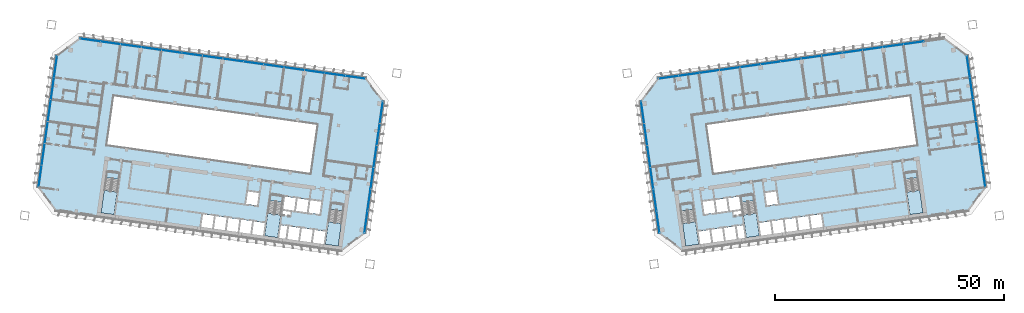
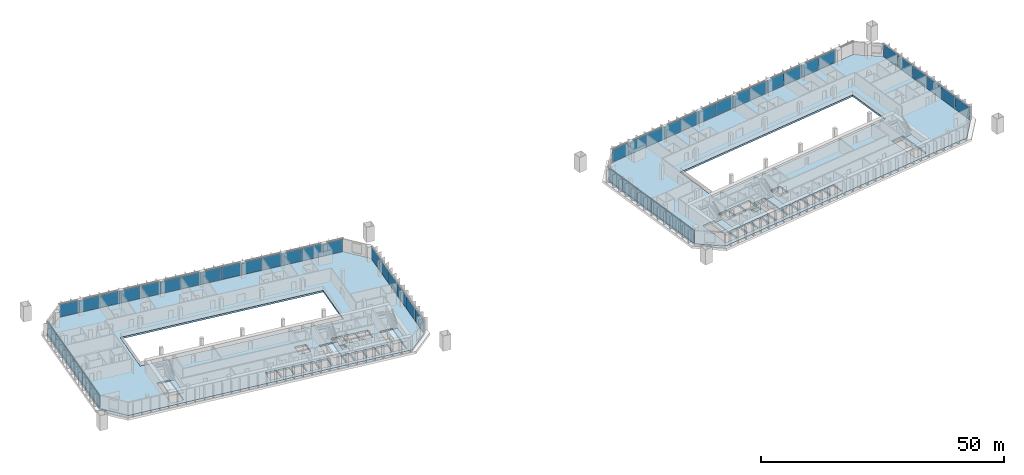
# One storey, part 12 of 24: 51 plates, 8 slabs, 12 elements without a shape of their own.
"""IFC4 building model written with IfcOpenShell, lengths in metres."""

from ifc_helpers import new_model, si_unit, direction, frame, origin, origin_2d, place, context, subcontext, project, spatial, polyline, rectangle, outline, extrude, material, layer, layer_set, type_object, element, aggregate, save


model = new_model("IFC4")

# Units and contexts
model_context = context("Model", 3, precision=1e-05, world=origin(), true_north=direction((0.0, 1.0)))
body_context = subcontext(model_context, "Body", "Model", "MODEL_VIEW")
ifc_project = project(units=[si_unit("LENGTHUNIT", "METRE"), si_unit("AREAUNIT", "SQUARE_METRE"), si_unit("VOLUMEUNIT", "CUBIC_METRE"), si_unit("PLANEANGLEUNIT", "RADIAN"), si_unit("MASSUNIT", "GRAM", prefix="KILO")], contexts=[model_context])

# Site, building, storey
site_placement = place(None, origin())
site = spatial("IfcSite", under=ifc_project, at=site_placement, CompositionType="ELEMENT")
building_placement = place(site_placement, origin())
building = spatial("IfcBuilding", under=site, at=building_placement, Name="Mirante Cascada Hotel Towers", CompositionType="ELEMENT")
storey_placement = place(building_placement, frame((0.0, 0.0, 77.5)))
storey = spatial("IfcBuildingStorey", under=building, at=storey_placement, Name="L16", CompositionType="ELEMENT", Elevation=77.5)

# Curtain wall, plates
ifc_material_1 = material(Name="Aluminium mullion and transom frame with clear laminated glass", Category="aluminium")
curtain_wall_type_1 = type_object("IfcCurtainWallType", Name="Ribbon curtain wall ECW1", PredefinedType="NOTDEFINED", material=ifc_material_1)
curtain_wall_1_placement = place(storey_placement, origin())
curtain_wall_1 = element("IfcCurtainWall", 1, at=curtain_wall_1_placement, inside=storey, type_object=curtain_wall_type_1, Name="Front ribbon wall T1 L16", PredefinedType="NOTDEFINED")
ifc_material_2 = material(Name="Clear laminated glass", Category="glass")
ifc_layer_1 = layer(ifc_material_2, 0.036)
ifc_layer_set_1 = layer_set([ifc_layer_1], Name="ECW1 glass panel 36")
plate_type_1 = type_object("IfcPlateType", Name="ECW1 glass panel 36", PredefinedType="CURTAIN_PANEL", material=ifc_layer_set_1)
plate_1_placement = place(storey_placement, frame((-91.9184, 25.7373, 0.1), z_axis=(0.0, 0.0, 1.0), x_axis=(0.9902681, -0.1391731, 0.0)))
plate_1 = element("IfcPlate", 2, at=plate_1_placement, type_object=plate_type_1, Name="ECW1 panel 1", PredefinedType="CURTAIN_PANEL", context=body_context, shape_type="SweptSolid", body=[
    extrude(rectangle(XDim=4.3936, YDim=0.036, at=origin_2d()), origin(), (0.0, 0.0, 1.0), 3.15),
])
plate_2_placement = place(storey_placement, frame((-87.487, 25.1145, 0.1), z_axis=(0.0, 0.0, 1.0), x_axis=(0.9902681, -0.1391731, 0.0)))
plate_2 = element("IfcPlate", 3, at=plate_2_placement, type_object=plate_type_1, Name="ECW1 panel 2", PredefinedType="CURTAIN_PANEL", context=body_context, shape_type="SweptSolid", body=[
    extrude(rectangle(XDim=4.4261, YDim=0.036, at=origin_2d()), origin(), (0.0, 0.0, 1.0), 3.15),
])
plate_3_placement = place(storey_placement, frame((-83.0396, 24.4895, 0.1), z_axis=(0.0, 0.0, 1.0), x_axis=(0.9902681, -0.1391731, 0.0)))
plate_3 = element("IfcPlate", 4, at=plate_3_placement, type_object=plate_type_1, Name="ECW1 panel 3", PredefinedType="CURTAIN_PANEL", context=body_context, shape_type="SweptSolid", body=[
    extrude(rectangle(XDim=4.4261, YDim=0.036, at=origin_2d()), origin(), (0.0, 0.0, 1.0), 3.15),
])
plate_4_placement = place(storey_placement, frame((-78.5922, 23.8644, 0.1), z_axis=(0.0, 0.0, 1.0), x_axis=(0.9902681, -0.1391731, 0.0)))
plate_4 = element("IfcPlate", 5, at=plate_4_placement, type_object=plate_type_1, Name="ECW1 panel 4", PredefinedType="CURTAIN_PANEL", context=body_context, shape_type="SweptSolid", body=[
    extrude(rectangle(XDim=4.4261, YDim=0.036, at=origin_2d()), origin(), (0.0, 0.0, 1.0), 3.15),
])
plate_5_placement = place(storey_placement, frame((-74.1448, 23.2394, 0.1), z_axis=(0.0, 0.0, 1.0), x_axis=(0.9902681, -0.1391731, 0.0)))
plate_5 = element("IfcPlate", 6, at=plate_5_placement, type_object=plate_type_1, Name="ECW1 panel 5", PredefinedType="CURTAIN_PANEL", context=body_context, shape_type="SweptSolid", body=[
    extrude(rectangle(XDim=4.4261, YDim=0.036, at=origin_2d()), origin(), (0.0, 0.0, 1.0), 3.15),
])
plate_6_placement = place(storey_placement, frame((-69.6974, 22.6144, 0.1), z_axis=(0.0, 0.0, 1.0), x_axis=(0.9902681, -0.1391731, 0.0)))
plate_6 = element("IfcPlate", 7, at=plate_6_placement, type_object=plate_type_1, Name="ECW1 panel 6", PredefinedType="CURTAIN_PANEL", context=body_context, shape_type="SweptSolid", body=[
    extrude(rectangle(XDim=4.4261, YDim=0.036, at=origin_2d()), origin(), (0.0, 0.0, 1.0), 3.15),
])
plate_7_placement = place(storey_placement, frame((-65.2499, 21.9893, 0.1), z_axis=(0.0, 0.0, 1.0), x_axis=(0.9902681, -0.1391731, 0.0)))
plate_7 = element("IfcPlate", 8, at=plate_7_placement, type_object=plate_type_1, Name="ECW1 panel 7", PredefinedType="CURTAIN_PANEL", context=body_context, shape_type="SweptSolid", body=[
    extrude(rectangle(XDim=4.4261, YDim=0.036, at=origin_2d()), origin(), (0.0, 0.0, 1.0), 3.15),
])
plate_8_placement = place(storey_placement, frame((-60.8025, 21.3643, 0.1), z_axis=(0.0, 0.0, 1.0), x_axis=(0.9902681, -0.1391731, 0.0)))
plate_8 = element("IfcPlate", 9, at=plate_8_placement, type_object=plate_type_1, Name="ECW1 panel 8", PredefinedType="CURTAIN_PANEL", context=body_context, shape_type="SweptSolid", body=[
    extrude(rectangle(XDim=4.4261, YDim=0.036, at=origin_2d()), origin(), (0.0, 0.0, 1.0), 3.15),
])
plate_9_placement = place(storey_placement, frame((-56.3551, 20.7392, 0.1), z_axis=(0.0, 0.0, 1.0), x_axis=(0.9902681, -0.1391731, 0.0)))
plate_9 = element("IfcPlate", 10, at=plate_9_placement, type_object=plate_type_1, Name="ECW1 panel 9", PredefinedType="CURTAIN_PANEL", context=body_context, shape_type="SweptSolid", body=[
    extrude(rectangle(XDim=4.4261, YDim=0.036, at=origin_2d()), origin(), (0.0, 0.0, 1.0), 3.15),
])
plate_10_placement = place(storey_placement, frame((-51.9077, 20.1142, 0.1), z_axis=(0.0, 0.0, 1.0), x_axis=(0.9902681, -0.1391731, 0.0)))
plate_10 = element("IfcPlate", 11, at=plate_10_placement, type_object=plate_type_1, Name="ECW1 panel 10", PredefinedType="CURTAIN_PANEL", context=body_context, shape_type="SweptSolid", body=[
    extrude(rectangle(XDim=4.4261, YDim=0.036, at=origin_2d()), origin(), (0.0, 0.0, 1.0), 3.15),
])
plate_11_placement = place(storey_placement, frame((-47.4603, 19.4891, 0.1), z_axis=(0.0, 0.0, 1.0), x_axis=(0.9902681, -0.1391731, 0.0)))
plate_11 = element("IfcPlate", 12, at=plate_11_placement, type_object=plate_type_1, Name="ECW1 panel 11", PredefinedType="CURTAIN_PANEL", context=body_context, shape_type="SweptSolid", body=[
    extrude(rectangle(XDim=4.4261, YDim=0.036, at=origin_2d()), origin(), (0.0, 0.0, 1.0), 3.15),
])
plate_12_placement = place(storey_placement, frame((-43.0129, 18.8641, 0.1), z_axis=(0.0, 0.0, 1.0), x_axis=(0.9902681, -0.1391731, 0.0)))
plate_12 = element("IfcPlate", 13, at=plate_12_placement, type_object=plate_type_1, Name="ECW1 panel 12", PredefinedType="CURTAIN_PANEL", context=body_context, shape_type="SweptSolid", body=[
    extrude(rectangle(XDim=4.4261, YDim=0.036, at=origin_2d()), origin(), (0.0, 0.0, 1.0), 3.15),
])
plate_13_placement = place(storey_placement, frame((-38.5654, 18.239, 0.1), z_axis=(0.0, 0.0, 1.0), x_axis=(0.9902681, -0.1391731, 0.0)))
plate_13 = element("IfcPlate", 14, at=plate_13_placement, type_object=plate_type_1, Name="ECW1 panel 13", PredefinedType="CURTAIN_PANEL", context=body_context, shape_type="SweptSolid", body=[
    extrude(rectangle(XDim=4.4261, YDim=0.036, at=origin_2d()), origin(), (0.0, 0.0, 1.0), 3.15),
])
plate_14_placement = place(storey_placement, frame((-34.1341, 17.6163, 0.1), z_axis=(0.0, 0.0, 1.0), x_axis=(0.9902681, -0.1391731, 0.0)))
plate_14 = element("IfcPlate", 15, at=plate_14_placement, type_object=plate_type_1, Name="ECW1 panel 14", PredefinedType="CURTAIN_PANEL", context=body_context, shape_type="SweptSolid", body=[
    extrude(rectangle(XDim=4.3936, YDim=0.036, at=origin_2d()), origin(), (0.0, 0.0, 1.0), 3.15),
])
aggregate(curtain_wall_1, [plate_1, plate_2, plate_3, plate_4, plate_5, plate_6, plate_7, plate_8, plate_9, plate_10, plate_11, plate_12, plate_13, plate_14])

curtain_wall_2_placement = place(storey_placement, origin())
curtain_wall_2 = element("IfcCurtainWall", 16, at=curtain_wall_2_placement, inside=storey, type_object=curtain_wall_type_1, Name="Front ribbon wall T2 L16", PredefinedType="NOTDEFINED")
plate_15_placement = place(storey_placement, frame((87.487, 25.1145, 0.1), z_axis=(0.0, 0.0, 1.0), x_axis=(-0.9902681, -0.1391731, 0.0)))
plate_15 = element("IfcPlate", 17, at=plate_15_placement, type_object=plate_type_1, Name="ECW1 panel 2", PredefinedType="CURTAIN_PANEL", context=body_context, shape_type="SweptSolid", body=[
    extrude(rectangle(XDim=4.4261, YDim=0.036, at=origin_2d()), origin(), (0.0, 0.0, 1.0), 3.15),
])
plate_16_placement = place(storey_placement, frame((83.0396, 24.4895, 0.1), z_axis=(0.0, 0.0, 1.0), x_axis=(-0.9902681, -0.1391731, 0.0)))
plate_16 = element("IfcPlate", 18, at=plate_16_placement, type_object=plate_type_1, Name="ECW1 panel 3", PredefinedType="CURTAIN_PANEL", context=body_context, shape_type="SweptSolid", body=[
    extrude(rectangle(XDim=4.4261, YDim=0.036, at=origin_2d()), origin(), (0.0, 0.0, 1.0), 3.15),
])
plate_17_placement = place(storey_placement, frame((78.5922, 23.8644, 0.1), z_axis=(0.0, 0.0, 1.0), x_axis=(-0.9902681, -0.1391731, 0.0)))
plate_17 = element("IfcPlate", 19, at=plate_17_placement, type_object=plate_type_1, Name="ECW1 panel 4", PredefinedType="CURTAIN_PANEL", context=body_context, shape_type="SweptSolid", body=[
    extrude(rectangle(XDim=4.4261, YDim=0.036, at=origin_2d()), origin(), (0.0, 0.0, 1.0), 3.15),
])
plate_18_placement = place(storey_placement, frame((74.1448, 23.2394, 0.1), z_axis=(0.0, 0.0, 1.0), x_axis=(-0.9902681, -0.1391731, 0.0)))
plate_18 = element("IfcPlate", 20, at=plate_18_placement, type_object=plate_type_1, Name="ECW1 panel 5", PredefinedType="CURTAIN_PANEL", context=body_context, shape_type="SweptSolid", body=[
    extrude(rectangle(XDim=4.4261, YDim=0.036, at=origin_2d()), origin(), (0.0, 0.0, 1.0), 3.15),
])
plate_19_placement = place(storey_placement, frame((69.6974, 22.6144, 0.1), z_axis=(0.0, 0.0, 1.0), x_axis=(-0.9902681, -0.1391731, 0.0)))
plate_19 = element("IfcPlate", 21, at=plate_19_placement, type_object=plate_type_1, Name="ECW1 panel 6", PredefinedType="CURTAIN_PANEL", context=body_context, shape_type="SweptSolid", body=[
    extrude(rectangle(XDim=4.4261, YDim=0.036, at=origin_2d()), origin(), (0.0, 0.0, 1.0), 3.15),
])
plate_20_placement = place(storey_placement, frame((65.2499, 21.9893, 0.1), z_axis=(0.0, 0.0, 1.0), x_axis=(-0.9902681, -0.1391731, 0.0)))
plate_20 = element("IfcPlate", 22, at=plate_20_placement, type_object=plate_type_1, Name="ECW1 panel 7", PredefinedType="CURTAIN_PANEL", context=body_context, shape_type="SweptSolid", body=[
    extrude(rectangle(XDim=4.4261, YDim=0.036, at=origin_2d()), origin(), (0.0, 0.0, 1.0), 3.15),
])
plate_21_placement = place(storey_placement, frame((60.8025, 21.3643, 0.1), z_axis=(0.0, 0.0, 1.0), x_axis=(-0.9902681, -0.1391731, 0.0)))
plate_21 = element("IfcPlate", 23, at=plate_21_placement, type_object=plate_type_1, Name="ECW1 panel 8", PredefinedType="CURTAIN_PANEL", context=body_context, shape_type="SweptSolid", body=[
    extrude(rectangle(XDim=4.4261, YDim=0.036, at=origin_2d()), origin(), (0.0, 0.0, 1.0), 3.15),
])
plate_22_placement = place(storey_placement, frame((56.3551, 20.7392, 0.1), z_axis=(0.0, 0.0, 1.0), x_axis=(-0.9902681, -0.1391731, 0.0)))
plate_22 = element("IfcPlate", 24, at=plate_22_placement, type_object=plate_type_1, Name="ECW1 panel 9", PredefinedType="CURTAIN_PANEL", context=body_context, shape_type="SweptSolid", body=[
    extrude(rectangle(XDim=4.4261, YDim=0.036, at=origin_2d()), origin(), (0.0, 0.0, 1.0), 3.15),
])
plate_23_placement = place(storey_placement, frame((51.9077, 20.1142, 0.1), z_axis=(0.0, 0.0, 1.0), x_axis=(-0.9902681, -0.1391731, 0.0)))
plate_23 = element("IfcPlate", 25, at=plate_23_placement, type_object=plate_type_1, Name="ECW1 panel 10", PredefinedType="CURTAIN_PANEL", context=body_context, shape_type="SweptSolid", body=[
    extrude(rectangle(XDim=4.4261, YDim=0.036, at=origin_2d()), origin(), (0.0, 0.0, 1.0), 3.15),
])
plate_24_placement = place(storey_placement, frame((47.4603, 19.4891, 0.1), z_axis=(0.0, 0.0, 1.0), x_axis=(-0.9902681, -0.1391731, 0.0)))
plate_24 = element("IfcPlate", 26, at=plate_24_placement, type_object=plate_type_1, Name="ECW1 panel 11", PredefinedType="CURTAIN_PANEL", context=body_context, shape_type="SweptSolid", body=[
    extrude(rectangle(XDim=4.4261, YDim=0.036, at=origin_2d()), origin(), (0.0, 0.0, 1.0), 3.15),
])
plate_25_placement = place(storey_placement, frame((43.0129, 18.8641, 0.1), z_axis=(0.0, 0.0, 1.0), x_axis=(-0.9902681, -0.1391731, 0.0)))
plate_25 = element("IfcPlate", 27, at=plate_25_placement, type_object=plate_type_1, Name="ECW1 panel 12", PredefinedType="CURTAIN_PANEL", context=body_context, shape_type="SweptSolid", body=[
    extrude(rectangle(XDim=4.4261, YDim=0.036, at=origin_2d()), origin(), (0.0, 0.0, 1.0), 3.15),
])
plate_26_placement = place(storey_placement, frame((38.5654, 18.239, 0.1), z_axis=(0.0, 0.0, 1.0), x_axis=(-0.9902681, -0.1391731, 0.0)))
plate_26 = element("IfcPlate", 28, at=plate_26_placement, type_object=plate_type_1, Name="ECW1 panel 13", PredefinedType="CURTAIN_PANEL", context=body_context, shape_type="SweptSolid", body=[
    extrude(rectangle(XDim=4.4261, YDim=0.036, at=origin_2d()), origin(), (0.0, 0.0, 1.0), 3.15),
])
plate_27_placement = place(storey_placement, frame((34.1341, 17.6163, 0.1), z_axis=(0.0, 0.0, 1.0), x_axis=(-0.9902681, -0.1391731, 0.0)))
plate_27 = element("IfcPlate", 29, at=plate_27_placement, type_object=plate_type_1, Name="ECW1 panel 14", PredefinedType="CURTAIN_PANEL", context=body_context, shape_type="SweptSolid", body=[
    extrude(rectangle(XDim=4.3936, YDim=0.036, at=origin_2d()), origin(), (0.0, 0.0, 1.0), 3.15),
])
aggregate(curtain_wall_2, [plate_15, plate_16, plate_17, plate_18, plate_19, plate_20, plate_21, plate_22, plate_23, plate_24, plate_25, plate_26, plate_27])

ifc_material_3 = material(Name="Aluminium mullion and transom frame with clear laminated glass", Category="aluminium")
curtain_wall_type_2 = type_object("IfcCurtainWallType", Name="End ribbon curtain wall ECW2", PredefinedType="NOTDEFINED", material=ifc_material_3)
curtain_wall_3_placement = place(storey_placement, origin())
curtain_wall_3 = element("IfcCurtainWall", 30, at=curtain_wall_3_placement, inside=storey, type_object=curtain_wall_type_2, Name="Inner end wall T1 L16", PredefinedType="NOTDEFINED")
ifc_material_4 = material(Name="Clear laminated glass", Category="glass")
ifc_layer_2 = layer(ifc_material_4, 0.034)
ifc_layer_set_2 = layer_set([ifc_layer_2], Name="ECW2 glass panel 34")
plate_type_2 = type_object("IfcPlateType", Name="ECW2 glass panel 34", PredefinedType="CURTAIN_PANEL", material=ifc_layer_set_2)
plate_28_placement = place(storey_placement, frame((-28.4763, 9.9193, 0.1), z_axis=(0.0, 0.0, 1.0), x_axis=(-0.1391731, -0.9902681, 0.0)))
plate_28 = element("IfcPlate", 31, at=plate_28_placement, type_object=plate_type_2, Name="ECW2 panel 1", PredefinedType="CURTAIN_PANEL", context=body_context, shape_type="SweptSolid", body=[
    extrude(rectangle(XDim=4.7151, YDim=0.034, at=origin_2d()), origin(), (0.0, 0.0, 1.0), 3.15),
])
plate_29_placement = place(storey_placement, frame((-29.1439, 5.1696, 0.1), z_axis=(0.0, 0.0, 1.0), x_axis=(-0.1391731, -0.9902681, 0.0)))
plate_29 = element("IfcPlate", 32, at=plate_29_placement, type_object=plate_type_2, Name="ECW2 panel 2", PredefinedType="CURTAIN_PANEL", context=body_context, shape_type="SweptSolid", body=[
    extrude(rectangle(XDim=4.7476, YDim=0.034, at=origin_2d()), origin(), (0.0, 0.0, 1.0), 3.15),
])
plate_30_placement = place(storey_placement, frame((-29.8136, 0.4038, 0.1), z_axis=(0.0, 0.0, 1.0), x_axis=(-0.1391731, -0.9902681, 0.0)))
plate_30 = element("IfcPlate", 33, at=plate_30_placement, type_object=plate_type_2, Name="ECW2 panel 3", PredefinedType="CURTAIN_PANEL", context=body_context, shape_type="SweptSolid", body=[
    extrude(rectangle(XDim=4.7476, YDim=0.034, at=origin_2d()), origin(), (0.0, 0.0, 1.0), 3.15),
])
plate_31_placement = place(storey_placement, frame((-30.4834, -4.362, 0.1), z_axis=(0.0, 0.0, 1.0), x_axis=(-0.1391731, -0.9902681, 0.0)))
plate_31 = element("IfcPlate", 34, at=plate_31_placement, type_object=plate_type_2, Name="ECW2 panel 4", PredefinedType="CURTAIN_PANEL", context=body_context, shape_type="SweptSolid", body=[
    extrude(rectangle(XDim=4.7476, YDim=0.034, at=origin_2d()), origin(), (0.0, 0.0, 1.0), 3.15),
])
plate_32_placement = place(storey_placement, frame((-31.1532, -9.1278, 0.1), z_axis=(0.0, 0.0, 1.0), x_axis=(-0.1391731, -0.9902681, 0.0)))
plate_32 = element("IfcPlate", 35, at=plate_32_placement, type_object=plate_type_2, Name="ECW2 panel 5", PredefinedType="CURTAIN_PANEL", context=body_context, shape_type="SweptSolid", body=[
    extrude(rectangle(XDim=4.7476, YDim=0.034, at=origin_2d()), origin(), (0.0, 0.0, 1.0), 3.15),
])
plate_33_placement = place(storey_placement, frame((-31.8207, -13.8775, 0.1), z_axis=(0.0, 0.0, 1.0), x_axis=(-0.1391731, -0.9902681, 0.0)))
plate_33 = element("IfcPlate", 36, at=plate_33_placement, type_object=plate_type_2, Name="ECW2 panel 6", PredefinedType="CURTAIN_PANEL", context=body_context, shape_type="SweptSolid", body=[
    extrude(rectangle(XDim=4.7151, YDim=0.034, at=origin_2d()), origin(), (0.0, 0.0, 1.0), 3.15),
])
aggregate(curtain_wall_3, [plate_28, plate_29, plate_30, plate_31, plate_32, plate_33])

curtain_wall_4_placement = place(storey_placement, origin())
curtain_wall_4 = element("IfcCurtainWall", 37, at=curtain_wall_4_placement, inside=storey, type_object=curtain_wall_type_2, Name="Outer end wall T1 L16", PredefinedType="NOTDEFINED")
plate_34_placement = place(storey_placement, frame((-102.823, -3.8988, 0.1), z_axis=(0.0, 0.0, 1.0), x_axis=(0.1391731, 0.9902681, 0.0)))
plate_34 = element("IfcPlate", 38, at=plate_34_placement, type_object=plate_type_2, Name="ECW2 panel 1", PredefinedType="CURTAIN_PANEL", context=body_context, shape_type="SweptSolid", body=[
    extrude(rectangle(XDim=4.7151, YDim=0.034, at=origin_2d()), origin(), (0.0, 0.0, 1.0), 3.15),
])
plate_35_placement = place(storey_placement, frame((-102.1554, 0.8509, 0.1), z_axis=(0.0, 0.0, 1.0), x_axis=(0.1391731, 0.9902681, 0.0)))
plate_35 = element("IfcPlate", 39, at=plate_35_placement, type_object=plate_type_2, Name="ECW2 panel 2", PredefinedType="CURTAIN_PANEL", context=body_context, shape_type="SweptSolid", body=[
    extrude(rectangle(XDim=4.7476, YDim=0.034, at=origin_2d()), origin(), (0.0, 0.0, 1.0), 3.15),
])
plate_36_placement = place(storey_placement, frame((-101.4857, 5.6167, 0.1), z_axis=(0.0, 0.0, 1.0), x_axis=(0.1391731, 0.9902681, 0.0)))
plate_36 = element("IfcPlate", 40, at=plate_36_placement, type_object=plate_type_2, Name="ECW2 panel 3", PredefinedType="CURTAIN_PANEL", context=body_context, shape_type="SweptSolid", body=[
    extrude(rectangle(XDim=4.7476, YDim=0.034, at=origin_2d()), origin(), (0.0, 0.0, 1.0), 3.15),
])
plate_37_placement = place(storey_placement, frame((-100.8159, 10.3825, 0.1), z_axis=(0.0, 0.0, 1.0), x_axis=(0.1391731, 0.9902681, 0.0)))
plate_37 = element("IfcPlate", 41, at=plate_37_placement, type_object=plate_type_2, Name="ECW2 panel 4", PredefinedType="CURTAIN_PANEL", context=body_context, shape_type="SweptSolid", body=[
    extrude(rectangle(XDim=4.7476, YDim=0.034, at=origin_2d()), origin(), (0.0, 0.0, 1.0), 3.15),
])
plate_38_placement = place(storey_placement, frame((-100.1461, 15.1483, 0.1), z_axis=(0.0, 0.0, 1.0), x_axis=(0.1391731, 0.9902681, 0.0)))
plate_38 = element("IfcPlate", 42, at=plate_38_placement, type_object=plate_type_2, Name="ECW2 panel 5", PredefinedType="CURTAIN_PANEL", context=body_context, shape_type="SweptSolid", body=[
    extrude(rectangle(XDim=4.7476, YDim=0.034, at=origin_2d()), origin(), (0.0, 0.0, 1.0), 3.15),
])
plate_39_placement = place(storey_placement, frame((-99.4786, 19.898, 0.1), z_axis=(0.0, 0.0, 1.0), x_axis=(0.1391731, 0.9902681, 0.0)))
plate_39 = element("IfcPlate", 43, at=plate_39_placement, type_object=plate_type_2, Name="ECW2 panel 6", PredefinedType="CURTAIN_PANEL", context=body_context, shape_type="SweptSolid", body=[
    extrude(rectangle(XDim=4.7151, YDim=0.034, at=origin_2d()), origin(), (0.0, 0.0, 1.0), 3.15),
])
aggregate(curtain_wall_4, [plate_34, plate_35, plate_36, plate_37, plate_38, plate_39])

curtain_wall_5_placement = place(storey_placement, origin())
curtain_wall_5 = element("IfcCurtainWall", 44, at=curtain_wall_5_placement, inside=storey, type_object=curtain_wall_type_2, Name="Inner end wall T2 L16", PredefinedType="NOTDEFINED")
plate_40_placement = place(storey_placement, frame((28.4763, 9.9193, 0.1), z_axis=(0.0, 0.0, 1.0), x_axis=(0.1391731, -0.9902681, 0.0)))
plate_40 = element("IfcPlate", 45, at=plate_40_placement, type_object=plate_type_2, Name="ECW2 panel 1", PredefinedType="CURTAIN_PANEL", context=body_context, shape_type="SweptSolid", body=[
    extrude(rectangle(XDim=4.7151, YDim=0.034, at=origin_2d()), origin(), (0.0, 0.0, 1.0), 3.15),
])
plate_41_placement = place(storey_placement, frame((29.1439, 5.1696, 0.1), z_axis=(0.0, 0.0, 1.0), x_axis=(0.1391731, -0.9902681, 0.0)))
plate_41 = element("IfcPlate", 46, at=plate_41_placement, type_object=plate_type_2, Name="ECW2 panel 2", PredefinedType="CURTAIN_PANEL", context=body_context, shape_type="SweptSolid", body=[
    extrude(rectangle(XDim=4.7476, YDim=0.034, at=origin_2d()), origin(), (0.0, 0.0, 1.0), 3.15),
])
plate_42_placement = place(storey_placement, frame((29.8136, 0.4038, 0.1), z_axis=(0.0, 0.0, 1.0), x_axis=(0.1391731, -0.9902681, 0.0)))
plate_42 = element("IfcPlate", 47, at=plate_42_placement, type_object=plate_type_2, Name="ECW2 panel 3", PredefinedType="CURTAIN_PANEL", context=body_context, shape_type="SweptSolid", body=[
    extrude(rectangle(XDim=4.7476, YDim=0.034, at=origin_2d()), origin(), (0.0, 0.0, 1.0), 3.15),
])
plate_43_placement = place(storey_placement, frame((30.4834, -4.362, 0.1), z_axis=(0.0, 0.0, 1.0), x_axis=(0.1391731, -0.9902681, 0.0)))
plate_43 = element("IfcPlate", 48, at=plate_43_placement, type_object=plate_type_2, Name="ECW2 panel 4", PredefinedType="CURTAIN_PANEL", context=body_context, shape_type="SweptSolid", body=[
    extrude(rectangle(XDim=4.7476, YDim=0.034, at=origin_2d()), origin(), (0.0, 0.0, 1.0), 3.15),
])
plate_44_placement = place(storey_placement, frame((31.1532, -9.1278, 0.1), z_axis=(0.0, 0.0, 1.0), x_axis=(0.1391731, -0.9902681, 0.0)))
plate_44 = element("IfcPlate", 49, at=plate_44_placement, type_object=plate_type_2, Name="ECW2 panel 5", PredefinedType="CURTAIN_PANEL", context=body_context, shape_type="SweptSolid", body=[
    extrude(rectangle(XDim=4.7476, YDim=0.034, at=origin_2d()), origin(), (0.0, 0.0, 1.0), 3.15),
])
plate_45_placement = place(storey_placement, frame((31.8207, -13.8775, 0.1), z_axis=(0.0, 0.0, 1.0), x_axis=(0.1391731, -0.9902681, 0.0)))
plate_45 = element("IfcPlate", 50, at=plate_45_placement, type_object=plate_type_2, Name="ECW2 panel 6", PredefinedType="CURTAIN_PANEL", context=body_context, shape_type="SweptSolid", body=[
    extrude(rectangle(XDim=4.7151, YDim=0.034, at=origin_2d()), origin(), (0.0, 0.0, 1.0), 3.15),
])
aggregate(curtain_wall_5, [plate_40, plate_41, plate_42, plate_43, plate_44, plate_45])

curtain_wall_6_placement = place(storey_placement, origin())
curtain_wall_6 = element("IfcCurtainWall", 51, at=curtain_wall_6_placement, inside=storey, type_object=curtain_wall_type_2, Name="Outer end wall T2 L16", PredefinedType="NOTDEFINED")
plate_46_placement = place(storey_placement, frame((102.823, -3.8988, 0.1), z_axis=(0.0, 0.0, 1.0), x_axis=(-0.1391731, 0.9902681, 0.0)))
plate_46 = element("IfcPlate", 52, at=plate_46_placement, type_object=plate_type_2, Name="ECW2 panel 1", PredefinedType="CURTAIN_PANEL", context=body_context, shape_type="SweptSolid", body=[
    extrude(rectangle(XDim=4.7151, YDim=0.034, at=origin_2d()), origin(), (0.0, 0.0, 1.0), 3.15),
])
plate_47_placement = place(storey_placement, frame((102.1554, 0.8509, 0.1), z_axis=(0.0, 0.0, 1.0), x_axis=(-0.1391731, 0.9902681, 0.0)))
plate_47 = element("IfcPlate", 53, at=plate_47_placement, type_object=plate_type_2, Name="ECW2 panel 2", PredefinedType="CURTAIN_PANEL", context=body_context, shape_type="SweptSolid", body=[
    extrude(rectangle(XDim=4.7476, YDim=0.034, at=origin_2d()), origin(), (0.0, 0.0, 1.0), 3.15),
])
plate_48_placement = place(storey_placement, frame((101.4857, 5.6167, 0.1), z_axis=(0.0, 0.0, 1.0), x_axis=(-0.1391731, 0.9902681, 0.0)))
plate_48 = element("IfcPlate", 54, at=plate_48_placement, type_object=plate_type_2, Name="ECW2 panel 3", PredefinedType="CURTAIN_PANEL", context=body_context, shape_type="SweptSolid", body=[
    extrude(rectangle(XDim=4.7476, YDim=0.034, at=origin_2d()), origin(), (0.0, 0.0, 1.0), 3.15),
])
plate_49_placement = place(storey_placement, frame((100.8159, 10.3825, 0.1), z_axis=(0.0, 0.0, 1.0), x_axis=(-0.1391731, 0.9902681, 0.0)))
plate_49 = element("IfcPlate", 55, at=plate_49_placement, type_object=plate_type_2, Name="ECW2 panel 4", PredefinedType="CURTAIN_PANEL", context=body_context, shape_type="SweptSolid", body=[
    extrude(rectangle(XDim=4.7476, YDim=0.034, at=origin_2d()), origin(), (0.0, 0.0, 1.0), 3.15),
])
plate_50_placement = place(storey_placement, frame((100.1461, 15.1483, 0.1), z_axis=(0.0, 0.0, 1.0), x_axis=(-0.1391731, 0.9902681, 0.0)))
plate_50 = element("IfcPlate", 56, at=plate_50_placement, type_object=plate_type_2, Name="ECW2 panel 5", PredefinedType="CURTAIN_PANEL", context=body_context, shape_type="SweptSolid", body=[
    extrude(rectangle(XDim=4.7476, YDim=0.034, at=origin_2d()), origin(), (0.0, 0.0, 1.0), 3.15),
])
plate_51_placement = place(storey_placement, frame((99.4786, 19.898, 0.1), z_axis=(0.0, 0.0, 1.0), x_axis=(-0.1391731, 0.9902681, 0.0)))
plate_51 = element("IfcPlate", 57, at=plate_51_placement, type_object=plate_type_2, Name="ECW2 panel 6", PredefinedType="CURTAIN_PANEL", context=body_context, shape_type="SweptSolid", body=[
    extrude(rectangle(XDim=4.7151, YDim=0.034, at=origin_2d()), origin(), (0.0, 0.0, 1.0), 3.15),
])
aggregate(curtain_wall_6, [plate_46, plate_47, plate_48, plate_49, plate_50, plate_51])

# Stair, slab
ifc_material_5 = material(Name="Concrete C35/45", Category="concrete")
stair_type = type_object("IfcStairType", Name="Exit stair half-turn 1350 concrete C35/45", PredefinedType="HALF_TURN_STAIR", material=ifc_material_5)
stair_1_placement = place(storey_placement, origin())
stair_1 = element("IfcStair", 58, at=stair_1_placement, inside=storey, type_object=stair_type, Name="L16 Exit stair A", PredefinedType="HALF_TURN_STAIR")
ifc_material_6 = material(Name="Concrete C35/45", Category="concrete")
ifc_layer_3 = layer(ifc_material_6, 0.2)
ifc_layer_set_3 = layer_set([ifc_layer_3], Name="Exit stair landing 200 concrete C35/45")
slab_type_1 = type_object("IfcSlabType", Name="Exit stair landing 200 concrete C35/45", PredefinedType="LANDING", material=ifc_layer_set_3)
slab_1_placement = place(storey_placement, frame((0.0, 0.0, 1.7)))
slab_1 = element("IfcSlab", 59, at=slab_1_placement, type_object=slab_type_1, Name="ST1-A landing 1", PredefinedType="LANDING", context=body_context, shape_type="SweptSolid", body=[
    extrude(outline(polyline([(-39.9987, -13.8659), (-40.6887, -18.7757), (-37.8665, -19.1723), (-37.1765, -14.2626), (-39.9987, -13.8659)])), origin(), (0.0, 0.0, 1.0), 0.2),
])
aggregate(stair_1, [slab_1])

stair_2_placement = place(storey_placement, origin())
stair_2 = element("IfcStair", 60, at=stair_2_placement, inside=storey, type_object=stair_type, Name="L16 Exit stair B", PredefinedType="HALF_TURN_STAIR")
slab_2_placement = place(storey_placement, frame((0.0, 0.0, 1.7)))
slab_2 = element("IfcSlab", 61, at=slab_2_placement, type_object=slab_type_1, Name="ST1-B landing 1", PredefinedType="LANDING", context=body_context, shape_type="SweptSolid", body=[
    extrude(outline(polyline([(-53.2188, -12.008), (-53.9088, -16.9177), (-51.0866, -17.3144), (-50.3965, -12.4046), (-53.2188, -12.008)])), origin(), (0.0, 0.0, 1.0), 0.2),
])
aggregate(stair_2, [slab_2])

stair_3_placement = place(storey_placement, origin())
stair_3 = element("IfcStair", 62, at=stair_3_placement, inside=storey, type_object=stair_type, Name="L16 Exit stair C", PredefinedType="HALF_TURN_STAIR")
slab_3_placement = place(storey_placement, frame((0.0, 0.0, 1.7)))
slab_3 = element("IfcSlab", 63, at=slab_3_placement, type_object=slab_type_1, Name="ST1-C landing 1", PredefinedType="LANDING", context=body_context, shape_type="SweptSolid", body=[
    extrude(outline(polyline([(-88.8685, -6.9977), (-89.5585, -11.9075), (-86.7362, -12.3041), (-86.0462, -7.3944), (-88.8685, -6.9977)])), origin(), (0.0, 0.0, 1.0), 0.2),
])
aggregate(stair_3, [slab_3])

stair_4_placement = place(storey_placement, origin())
stair_4 = element("IfcStair", 64, at=stair_4_placement, inside=storey, type_object=stair_type, Name="L16 Exit stair A", PredefinedType="HALF_TURN_STAIR")
slab_4_placement = place(storey_placement, frame((0.0, 0.0, 1.7)))
slab_4 = element("IfcSlab", 65, at=slab_4_placement, type_object=slab_type_1, Name="ST2-A landing 1", PredefinedType="LANDING", context=body_context, shape_type="SweptSolid", body=[
    extrude(outline(polyline([(37.1765, -14.2626), (37.8665, -19.1723), (40.6887, -18.7757), (39.9987, -13.8659), (37.1765, -14.2626)])), origin(), (0.0, 0.0, 1.0), 0.2),
])
aggregate(stair_4, [slab_4])

stair_5_placement = place(storey_placement, origin())
stair_5 = element("IfcStair", 66, at=stair_5_placement, inside=storey, type_object=stair_type, Name="L16 Exit stair B", PredefinedType="HALF_TURN_STAIR")
slab_5_placement = place(storey_placement, frame((0.0, 0.0, 1.7)))
slab_5 = element("IfcSlab", 67, at=slab_5_placement, type_object=slab_type_1, Name="ST2-B landing 1", PredefinedType="LANDING", context=body_context, shape_type="SweptSolid", body=[
    extrude(outline(polyline([(50.3965, -12.4046), (51.0866, -17.3144), (53.9088, -16.9177), (53.2188, -12.008), (50.3965, -12.4046)])), origin(), (0.0, 0.0, 1.0), 0.2),
])
aggregate(stair_5, [slab_5])

stair_6_placement = place(storey_placement, origin())
stair_6 = element("IfcStair", 68, at=stair_6_placement, inside=storey, type_object=stair_type, Name="L16 Exit stair C", PredefinedType="HALF_TURN_STAIR")
slab_6_placement = place(storey_placement, frame((0.0, 0.0, 1.7)))
slab_6 = element("IfcSlab", 69, at=slab_6_placement, type_object=slab_type_1, Name="ST2-C landing 1", PredefinedType="LANDING", context=body_context, shape_type="SweptSolid", body=[
    extrude(outline(polyline([(86.0462, -7.3944), (86.7362, -12.3041), (89.5585, -11.9075), (88.8685, -6.9977), (86.0462, -7.3944)])), origin(), (0.0, 0.0, 1.0), 0.2),
])
aggregate(stair_6, [slab_6])

# Slabs
ifc_material_7 = material(Name="Concrete C40/50", Category="concrete")
ifc_layer_4 = layer(ifc_material_7, 0.45)
ifc_layer_set_4 = layer_set([ifc_layer_4], Name="Post-tensioned flat plate 450 Concrete C40/50")
slab_type_2 = type_object("IfcSlabType", Name="Post-tensioned flat plate 450 Concrete C40/50", PredefinedType="FLOOR", material=ifc_layer_set_4)
slab_7_placement = place(storey_placement, frame((0.0, 0.0, -0.45)))
element("IfcSlab", 70, at=slab_7_placement, inside=storey, type_object=slab_type_2, Name="Floor T1 L16", PredefinedType="FLOOR", context=body_context, shape_type="SweptSolid", body=[
    extrude(outline(polyline([(-32.018, -16.3589), (-27.982, 12.3589), (-31.8119, 17.4414), (-94.1988, 26.2093), (-99.2813, 22.3794), (-103.3173, -6.3384), (-99.4874, -11.4209), (-37.1005, -20.1888), (-32.018, -16.3589)]), holes=[polyline([(-43.0718, -15.6132), (-40.5961, -15.9612), (-40.9858, -18.7339), (-43.4615, -18.386), (-43.0718, -15.6132)]), polyline([(-45.8446, -15.2236), (-43.3689, -15.5715), (-43.7586, -18.3442), (-46.2342, -17.9963), (-45.8446, -15.2236)]), polyline([(-48.6173, -14.8339), (-46.1416, -15.1818), (-46.5313, -17.9546), (-49.007, -17.6066), (-48.6173, -14.8339)]), polyline([(-50.3998, -14.5834), (-48.9144, -14.7921), (-49.3041, -17.5649), (-50.7895, -17.3561), (-50.3998, -14.5834)]), polyline([(-36.7887, -11.5037), (-37.8665, -19.1723), (-40.6887, -18.7757), (-39.611, -11.107), (-36.7887, -11.5037)]), polyline([(-49.9544, -11.4145), (-48.1472, -11.6685), (-48.2829, -12.634), (-50.0901, -12.38), (-49.9544, -11.4145)]), polyline([(-43.9775, -9.124), (-41.5018, -9.472), (-41.8915, -12.2447), (-44.3672, -11.8968), (-43.9775, -9.124)]), polyline([(-47.1399, -11.5071), (-46.7503, -8.7344), (-44.2746, -9.0823), (-44.6643, -11.855), (-47.1399, -11.5071)]), polyline([(-49.9127, -11.1174), (-49.523, -8.3447), (-47.0473, -8.6926), (-47.437, -11.4654), (-49.9127, -11.1174)]), polyline([(-56.2919, -13.7553), (-53.8162, -14.1032), (-54.2059, -16.876), (-56.6816, -16.528), (-56.2919, -13.7553)]), polyline([(-59.0646, -13.3656), (-56.589, -13.7135), (-56.9787, -16.4863), (-59.4543, -16.1383), (-59.0646, -13.3656)]), polyline([(-61.8374, -12.9759), (-59.3617, -13.3238), (-59.7514, -16.0966), (-62.2271, -15.7487), (-61.8374, -12.9759)]), polyline([(-64.6101, -12.5862), (-62.1345, -12.9342), (-62.5242, -15.7069), (-64.9998, -15.359), (-64.6101, -12.5862)]), polyline([(-67.3829, -12.1965), (-64.9072, -12.5445), (-65.2969, -15.3172), (-67.7726, -14.9693), (-67.3829, -12.1965)]), polyline([(-50.0088, -9.6457), (-51.0866, -17.3144), (-53.9088, -16.9177), (-52.8311, -9.2491), (-50.0088, -9.6457)]), polyline([(-85.6585, -4.6355), (-86.7362, -12.3041), (-89.5585, -11.9075), (-88.4807, -4.2388), (-85.6585, -4.6355)]), polyline([(-57.9834, -9.9832), (-57.5937, -7.2104), (-55.118, -7.5583), (-55.5077, -10.3311), (-57.9834, -9.9832)]), polyline([(-88.4039, 2.7747), (-86.873, 13.6677), (-42.3109, 7.4049), (-43.8418, -3.4881), (-88.4039, 2.7747)])]), origin(), (0.0, 0.0, 1.0), 0.45),
])
slab_8_placement = place(storey_placement, frame((0.0, 0.0, -0.45)))
element("IfcSlab", 71, at=slab_8_placement, inside=storey, type_object=slab_type_2, Name="Floor T2 L16", PredefinedType="FLOOR", context=body_context, shape_type="SweptSolid", body=[
    extrude(outline(polyline([(32.018, -16.3589), (27.982, 12.3589), (31.8119, 17.4414), (94.1988, 26.2093), (99.2813, 22.3794), (103.3173, -6.3384), (99.4874, -11.4209), (37.1005, -20.1888), (32.018, -16.3589)]), holes=[polyline([(43.0718, -15.6132), (40.5961, -15.9612), (40.9858, -18.7339), (43.4615, -18.386), (43.0718, -15.6132)]), polyline([(45.8446, -15.2236), (43.3689, -15.5715), (43.7586, -18.3442), (46.2342, -17.9963), (45.8446, -15.2236)]), polyline([(48.6173, -14.8339), (46.1416, -15.1818), (46.5313, -17.9546), (49.007, -17.6066), (48.6173, -14.8339)]), polyline([(50.3998, -14.5834), (48.9144, -14.7921), (49.3041, -17.5649), (50.7895, -17.3561), (50.3998, -14.5834)]), polyline([(37.8665, -19.1723), (40.6887, -18.7757), (39.611, -11.107), (36.7887, -11.5037), (37.8665, -19.1723)]), polyline([(49.9544, -11.4145), (48.1472, -11.6685), (48.2829, -12.634), (50.0901, -12.38), (49.9544, -11.4145)]), polyline([(43.9775, -9.124), (41.5018, -9.472), (41.8915, -12.2447), (44.3672, -11.8968), (43.9775, -9.124)]), polyline([(47.1399, -11.5071), (46.7503, -8.7344), (44.2746, -9.0823), (44.6643, -11.855), (47.1399, -11.5071)]), polyline([(49.9127, -11.1174), (49.523, -8.3447), (47.0473, -8.6926), (47.437, -11.4654), (49.9127, -11.1174)]), polyline([(56.2919, -13.7553), (53.8162, -14.1032), (54.2059, -16.876), (56.6816, -16.528), (56.2919, -13.7553)]), polyline([(59.0646, -13.3656), (56.589, -13.7135), (56.9787, -16.4863), (59.4543, -16.1383), (59.0646, -13.3656)]), polyline([(61.8374, -12.9759), (59.3617, -13.3238), (59.7514, -16.0966), (62.2271, -15.7487), (61.8374, -12.9759)]), polyline([(64.6101, -12.5862), (62.1345, -12.9342), (62.5242, -15.7069), (64.9998, -15.359), (64.6101, -12.5862)]), polyline([(67.3829, -12.1965), (64.9072, -12.5445), (65.2969, -15.3172), (67.7726, -14.9693), (67.3829, -12.1965)]), polyline([(51.0866, -17.3144), (53.9088, -16.9177), (52.8311, -9.2491), (50.0088, -9.6457), (51.0866, -17.3144)]), polyline([(86.7362, -12.3041), (89.5585, -11.9075), (88.4807, -4.2388), (85.6585, -4.6355), (86.7362, -12.3041)]), polyline([(57.9834, -9.9832), (57.5937, -7.2104), (55.118, -7.5583), (55.5077, -10.3311), (57.9834, -9.9832)]), polyline([(88.4039, 2.7747), (86.873, 13.6677), (42.3109, 7.4049), (43.8418, -3.4881), (88.4039, 2.7747)])]), origin(), (0.0, 0.0, 1.0), 0.45),
])

save(model, "model.ifc")
